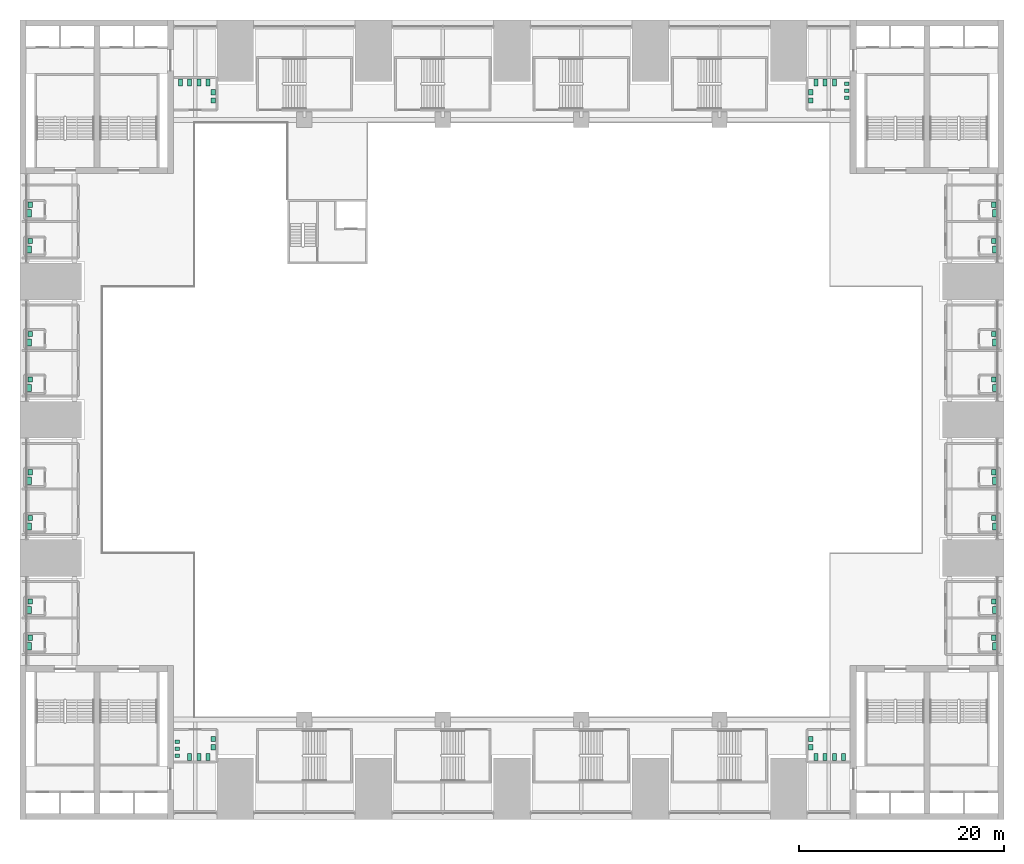
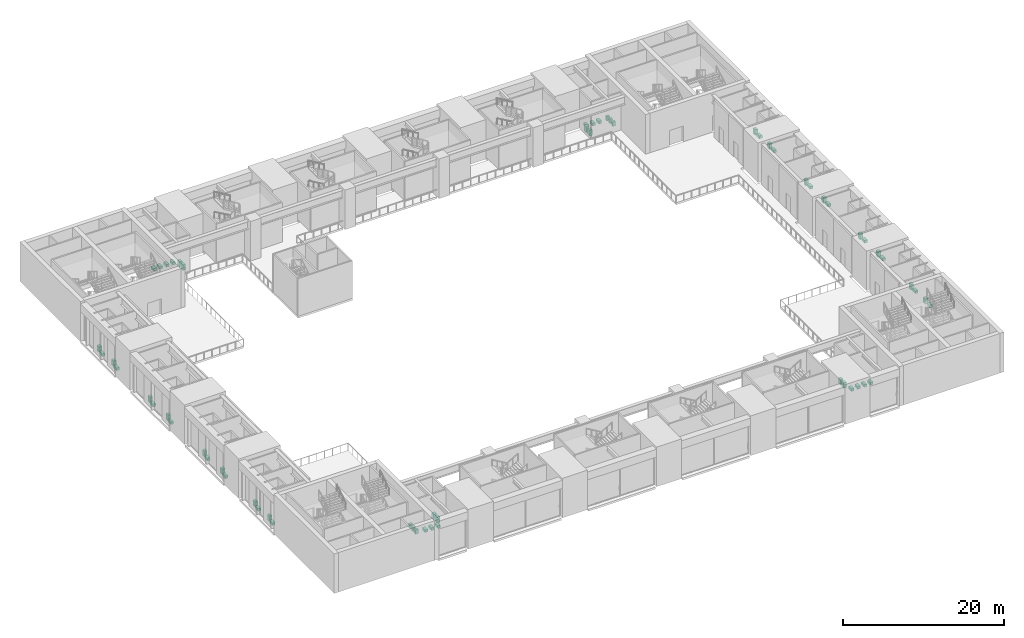
# One storey, part 43 of 43: 60 sanitary terminals.
"""IFC4 building model written with IfcOpenShell, lengths in metres."""

from ifc_helpers import new_model, si_unit, direction, frame, origin, origin_2d, place, context, subcontext, project, spatial, rectangle, extrude, material, type_object, element, save


model = new_model("IFC4")

# Units and contexts
model_context = context("Model", 3, precision=1e-05, world=origin(), true_north=direction((0.0, 1.0)))
body_context = subcontext(model_context, "Body", "Model", "MODEL_VIEW")
ifc_project = project(units=[si_unit("LENGTHUNIT", "METRE"), si_unit("AREAUNIT", "SQUARE_METRE"), si_unit("VOLUMEUNIT", "CUBIC_METRE"), si_unit("PLANEANGLEUNIT", "RADIAN"), si_unit("MASSUNIT", "GRAM", prefix="KILO")], contexts=[model_context])

# Site, building, storey
site_placement = place(None, origin())
site = spatial("IfcSite", under=ifc_project, at=site_placement, CompositionType="ELEMENT")
building_placement = place(site_placement, origin())
building = spatial("IfcBuilding", under=site, at=building_placement, Name="Corbelhall Arena Tower", CompositionType="ELEMENT")
storey_placement = place(building_placement, frame((0.0, 0.0, 25.0)))
storey = spatial("IfcBuildingStorey", under=building, at=storey_placement, Name="L03", CompositionType="ELEMENT", Elevation=25.0)

# Sanitary terminals
ifc_material = material(Name="Vitreous china")
sanitary_terminal_type_1 = type_object("IfcSanitaryTerminalType", Name="AR-BASIN", PredefinedType="WASHHANDBASIN", material=ifc_material)
for number, where, z_axis, x_axis, name in (
    (1, (47.0, 3.929931640625, 0.0), (0.0, 0.0, 1.0), (1.0, 0.0, 0.0), "Basin"),
    (2, (47.0, 8.3798828125, 0.0), (0.0, 0.0, 1.0), (1.0, 0.0, 0.0), "Basin"),
    (3, (47.0, -9.570068359375, 0.0), (0.0, 0.0, 1.0), (1.0, 0.0, 0.0), "Basin"),
    (4, (47.0, -5.1201171875, 0.0), (0.0, 0.0, 1.0), (1.0, 0.0, 0.0), "Basin"),
    (5, (47.0, 17.429931640625, 0.0), (0.0, 0.0, 1.0), (1.0, 0.0, 0.0), "Basin"),
    (6, (47.0, 20.97998046875, 0.0), (0.0, 0.0, 1.0), (1.0, 0.0, 0.0), "Basin"),
    (7, (47.0, -21.27001953125, 0.0), (0.0, 0.0, 1.0), (1.0, 0.0, 0.0), "Basin"),
    (8, (47.0, -17.719970703125, 0.0), (0.0, 0.0, 1.0), (1.0, 0.0, 0.0), "Basin"),
    (9, (-47.0, 3.929931640625, 0.0), (0.0, 0.0, 1.0), (1.0, 0.0, 0.0), "Basin"),
    (10, (-47.0, 8.3798828125, 0.0), (0.0, 0.0, 1.0), (1.0, 0.0, 0.0), "Basin"),
    (11, (-47.0, -9.570068359375, 0.0), (0.0, 0.0, 1.0), (1.0, 0.0, 0.0), "Basin"),
    (12, (-47.0, -5.1201171875, 0.0), (0.0, 0.0, 1.0), (1.0, 0.0, 0.0), "Basin"),
    (13, (-47.0, 17.429931640625, 0.0), (0.0, 0.0, 1.0), (1.0, 0.0, 0.0), "Basin"),
    (14, (-47.0, 20.97998046875, 0.0), (0.0, 0.0, 1.0), (1.0, 0.0, 0.0), "Basin"),
    (15, (-47.0, -21.27001953125, 0.0), (0.0, 0.0, 1.0), (1.0, 0.0, 0.0), "Basin"),
    (16, (-47.0, -17.719970703125, 0.0), (0.0, 0.0, 1.0), (1.0, 0.0, 0.0), "Basin"),
    (17, (29.14501953125, 31.14990234375, 0.0), (0.0, 0.0, 1.0), (1.0, 0.0, 0.0), "Basin"),
    (18, (29.14501953125, 31.949951171875, 0.0), (0.0, 0.0, 1.0), (1.0, 0.0, 0.0), "Basin"),
    (19, (-29.14501953125, 31.14990234375, 0.0), (0.0, 0.0, 1.0), (1.0, 0.0, 0.0), "Basin"),
    (20, (-29.14501953125, 31.949951171875, 0.0), (0.0, 0.0, 1.0), (1.0, 0.0, 0.0), "Basin"),
    (21, (29.14501953125, -31.14990234375, 0.0), (0.0, 0.0, 1.0), (1.0, 0.0, 0.0), "Basin"),
    (22, (29.14501953125, -31.949951171875, 0.0), (0.0, 0.0, 1.0), (1.0, 0.0, 0.0), "Basin"),
    (23, (-29.14501953125, -31.14990234375, 0.0), (0.0, 0.0, 1.0), (1.0, 0.0, 0.0), "Basin"),
    (24, (-29.14501953125, -31.949951171875, 0.0), (0.0, 0.0, 1.0), (1.0, 0.0, 0.0), "Basin"),
):
    element("IfcSanitaryTerminal", number, at=place(storey_placement, frame(where, z_axis=z_axis, x_axis=x_axis)), inside=storey, type_object=sanitary_terminal_type_1, Name=name, PredefinedType="WASHHANDBASIN", context=body_context, shape_type="SweptSolid", body=[
        extrude(rectangle(XDim=0.39990234375, YDim=0.5, at=origin_2d()), origin(), (0.0, 0.0, 1.0), 0.85009765625),
    ])
sanitary_terminal_type_2 = type_object("IfcSanitaryTerminalType", Name="AR-URINAL", PredefinedType="URINAL", material=ifc_material)
for number, where, z_axis, x_axis, name in (
    (25, (32.655029296875, 31.39990234375, 0.0), (0.0, 0.0, 1.0), (1.0, 0.0, 0.0), "Urinal"),
    (26, (32.655029296875, 32.10009765625, 0.0), (0.0, 0.0, 1.0), (1.0, 0.0, 0.0), "Urinal"),
    (27, (32.655029296875, 32.800048828125, 0.0), (0.0, 0.0, 1.0), (1.0, 0.0, 0.0), "Urinal"),
    (28, (-32.655029296875, -31.39990234375, 0.0), (0.0, 0.0, 1.0), (1.0, 0.0, 0.0), "Urinal"),
    (29, (-32.655029296875, -32.10009765625, 0.0), (0.0, 0.0, 1.0), (1.0, 0.0, 0.0), "Urinal"),
    (30, (-32.655029296875, -32.800048828125, 0.0), (0.0, 0.0, 1.0), (1.0, 0.0, 0.0), "Urinal"),
):
    element("IfcSanitaryTerminal", number, at=place(storey_placement, frame(where, z_axis=z_axis, x_axis=x_axis)), inside=storey, type_object=sanitary_terminal_type_2, Name=name, PredefinedType="URINAL", context=body_context, shape_type="SweptSolid", body=[
        extrude(rectangle(XDim=0.39990234375, YDim=0.35009765625, at=origin_2d()), origin(), (0.0, 0.0, 1.0), 0.64990234375),
    ])
sanitary_terminal_type_3 = type_object("IfcSanitaryTerminalType", Name="AR-WC-PAN", PredefinedType="TOILETPAN", material=ifc_material)
for number, where, z_axis, x_axis, name in (
    (31, (47.10009765625, 3.10009765625, 0.0), (0.0, 0.0, 1.0), (1.0, 0.0, 0.0), "Wc Pan"),
    (32, (47.10009765625, 7.550048828125, 0.0), (0.0, 0.0, 1.0), (1.0, 0.0, 0.0), "Wc Pan"),
    (33, (47.10009765625, -10.39990234375, 0.0), (0.0, 0.0, 1.0), (1.0, 0.0, 0.0), "Wc Pan"),
    (34, (47.10009765625, -5.949951171875, 0.0), (0.0, 0.0, 1.0), (1.0, 0.0, 0.0), "Wc Pan"),
    (35, (47.10009765625, 16.60009765625, 0.0), (0.0, 0.0, 1.0), (1.0, 0.0, 0.0), "Wc Pan"),
    (36, (47.10009765625, 20.14990234375, 0.0), (0.0, 0.0, 1.0), (1.0, 0.0, 0.0), "Wc Pan"),
    (37, (47.10009765625, -22.10009765625, 0.0), (0.0, 0.0, 1.0), (1.0, 0.0, 0.0), "Wc Pan"),
    (38, (47.10009765625, -18.550048828125, 0.0), (0.0, 0.0, 1.0), (1.0, 0.0, 0.0), "Wc Pan"),
    (39, (-47.10009765625, 3.10009765625, 0.0), (0.0, 0.0, 1.0), (1.0, 0.0, 0.0), "Wc Pan"),
    (40, (-47.10009765625, 7.550048828125, 0.0), (0.0, 0.0, 1.0), (1.0, 0.0, 0.0), "Wc Pan"),
    (41, (-47.10009765625, -10.39990234375, 0.0), (0.0, 0.0, 1.0), (1.0, 0.0, 0.0), "Wc Pan"),
    (42, (-47.10009765625, -5.949951171875, 0.0), (0.0, 0.0, 1.0), (1.0, 0.0, 0.0), "Wc Pan"),
    (43, (-47.10009765625, 16.60009765625, 0.0), (0.0, 0.0, 1.0), (1.0, 0.0, 0.0), "Wc Pan"),
    (44, (-47.10009765625, 20.14990234375, 0.0), (0.0, 0.0, 1.0), (1.0, 0.0, 0.0), "Wc Pan"),
    (45, (-47.10009765625, -22.10009765625, 0.0), (0.0, 0.0, 1.0), (1.0, 0.0, 0.0), "Wc Pan"),
    (46, (-47.10009765625, -18.550048828125, 0.0), (0.0, 0.0, 1.0), (1.0, 0.0, 0.0), "Wc Pan"),
    (47, (29.64990234375, 32.905029296875, 0.0), (0.0, 0.0, 1.0), (1.0, 0.0, 0.0), "Wc Pan"),
    (48, (30.550048828125, 32.905029296875, 0.0), (0.0, 0.0, 1.0), (1.0, 0.0, 0.0), "Wc Pan"),
    (49, (31.449951171875, 32.905029296875, 0.0), (0.0, 0.0, 1.0), (1.0, 0.0, 0.0), "Wc Pan"),
    (50, (-29.64990234375, 32.905029296875, 0.0), (0.0, 0.0, 1.0), (1.0, 0.0, 0.0), "Wc Pan"),
    (51, (-30.550048828125, 32.905029296875, 0.0), (0.0, 0.0, 1.0), (1.0, 0.0, 0.0), "Wc Pan"),
    (52, (-31.449951171875, 32.905029296875, 0.0), (0.0, 0.0, 1.0), (1.0, 0.0, 0.0), "Wc Pan"),
    (53, (-32.35009765625, 32.905029296875, 0.0), (0.0, 0.0, 1.0), (1.0, 0.0, 0.0), "Wc Pan"),
    (54, (29.64990234375, -32.905029296875, 0.0), (0.0, 0.0, 1.0), (1.0, 0.0, 0.0), "Wc Pan"),
    (55, (30.550048828125, -32.905029296875, 0.0), (0.0, 0.0, 1.0), (1.0, 0.0, 0.0), "Wc Pan"),
    (56, (31.449951171875, -32.905029296875, 0.0), (0.0, 0.0, 1.0), (1.0, 0.0, 0.0), "Wc Pan"),
    (57, (32.35009765625, -32.905029296875, 0.0), (0.0, 0.0, 1.0), (1.0, 0.0, 0.0), "Wc Pan"),
    (58, (-29.64990234375, -32.905029296875, 0.0), (0.0, 0.0, 1.0), (1.0, 0.0, 0.0), "Wc Pan"),
    (59, (-30.550048828125, -32.905029296875, 0.0), (0.0, 0.0, 1.0), (1.0, 0.0, 0.0), "Wc Pan"),
    (60, (-31.449951171875, -32.905029296875, 0.0), (0.0, 0.0, 1.0), (1.0, 0.0, 0.0), "Wc Pan"),
):
    element("IfcSanitaryTerminal", number, at=place(storey_placement, frame(where, z_axis=z_axis, x_axis=x_axis)), inside=storey, type_object=sanitary_terminal_type_3, Name=name, PredefinedType="TOILETPAN", context=body_context, shape_type="SweptSolid", body=[
        extrude(rectangle(XDim=0.39990234375, YDim=0.699951171875, at=origin_2d()), origin(), (0.0, 0.0, 1.0), 0.39990234375),
    ])

save(model, "model.ifc")
